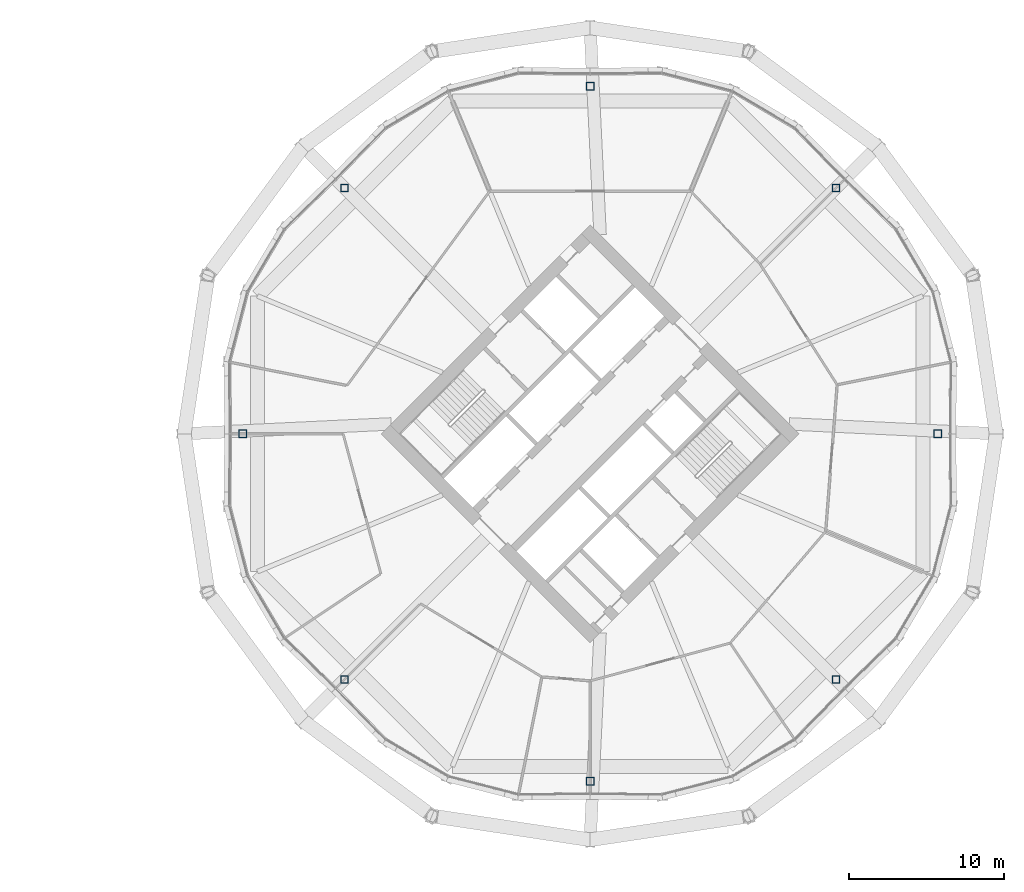
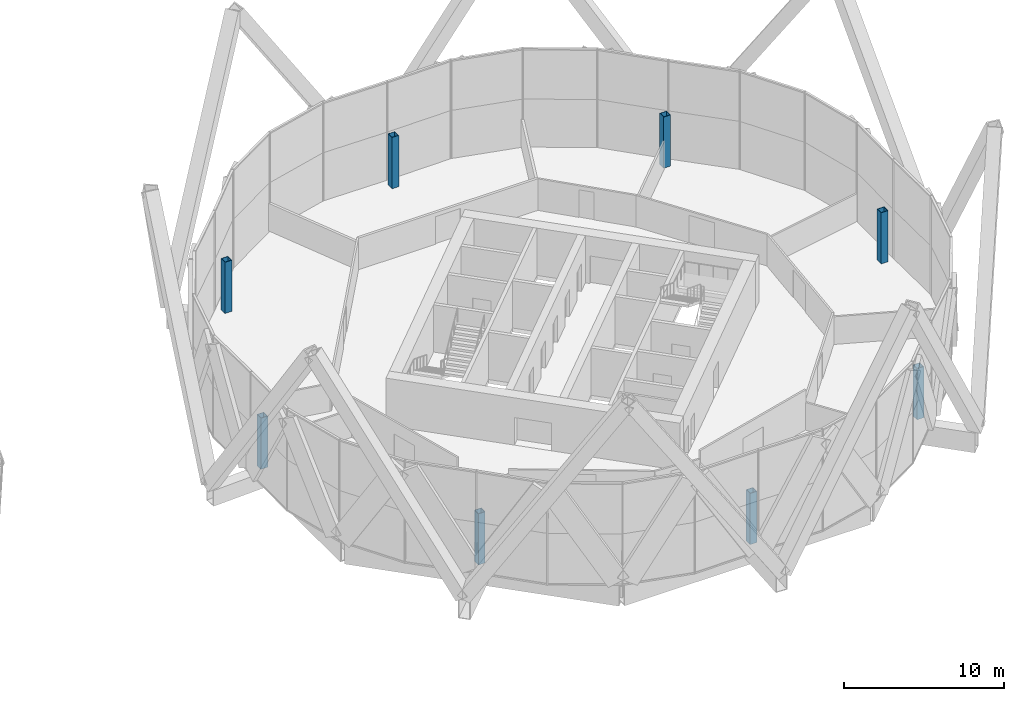
# One storey, part 2 of 28: 8 columns.
"""IFC4 building model written with IfcOpenShell, lengths in metres."""

from ifc_helpers import new_model, si_unit, direction, frame, origin, origin_2d, place, context, subcontext, project, spatial, hollow_rectangle, extrude, material, material_profile, profile_set, type_object, element, save


model = new_model("IFC4")

# Units and contexts
model_context = context("Model", 3, precision=1e-05, world=origin(), true_north=direction((0.0, 1.0)))
body_context = subcontext(model_context, "Body", "Model", "MODEL_VIEW")
ifc_project = project(units=[si_unit("LENGTHUNIT", "METRE"), si_unit("AREAUNIT", "SQUARE_METRE"), si_unit("VOLUMEUNIT", "CUBIC_METRE"), si_unit("PLANEANGLEUNIT", "RADIAN"), si_unit("MASSUNIT", "GRAM", prefix="KILO")], contexts=[model_context])

# Site, building, storey
site_placement = place(None, origin())
site = spatial("IfcSite", under=ifc_project, at=site_placement, CompositionType="ELEMENT")
building_placement = place(site_placement, origin())
building = spatial("IfcBuilding", under=site, at=building_placement, Name="Ogive Gate Towers", CompositionType="ELEMENT")
storey_placement = place(building_placement, frame((0.0, 0.0, 115.199951171875)))
storey = spatial("IfcBuildingStorey", under=building, at=storey_placement, Name="L27", CompositionType="ELEMENT", Elevation=115.199951171875)

# Columns
ifc_material = material(Name="Steel SM460", Category="steel")
ifc_material_profile = material_profile(ifc_material, hollow_rectangle(XDim=0.5, YDim=0.5, WallThickness=0.030029296875, at=origin_2d()), Name="BX 500x500x30")
ifc_profile_set = profile_set([ifc_material_profile], Name="Steel SM460")
column_type = type_object("IfcColumnType", Name="Perimeter post BX 500x500x30", PredefinedType="COLUMN", material=ifc_profile_set)
for number, where, z_axis, x_axis, name in (
    (1, (58.35009765625, 0.0, 0.0), (0.0, 0.0, 1.0), (1.0, 0.0, 0.0), "T2/L27/SCL001"),
    (2, (51.803955078125, 15.803955078125, 0.0), (0.0, 0.0, 1.0), (1.0, 0.0, 0.0), "T2/L27/SCL002"),
    (3, (36.0, 22.35009765625, 0.0), (0.0, 0.0, 1.0), (1.0, 0.0, 0.0), "T2/L27/SCL003"),
    (4, (20.196044921875, 15.803955078125, 0.0), (0.0, 0.0, 1.0), (1.0, 0.0, 0.0), "T2/L27/SCL004"),
    (5, (13.64990234375, 0.0, 0.0), (0.0, 0.0, 1.0), (1.0, 0.0, 0.0), "T2/L27/SCL005"),
    (6, (20.196044921875, -15.803955078125, 0.0), (0.0, 0.0, 1.0), (1.0, 0.0, 0.0), "T2/L27/SCL006"),
    (7, (36.0, -22.35009765625, 0.0), (0.0, 0.0, 1.0), (1.0, 0.0, 0.0), "T2/L27/SCL007"),
    (8, (51.803955078125, -15.803955078125, 0.0), (0.0, 0.0, 1.0), (1.0, 0.0, 0.0), "T2/L27/SCL008"),
):
    element("IfcColumn", number, at=place(storey_placement, frame(where, z_axis=z_axis, x_axis=x_axis)), inside=storey, type_object=column_type, Name=name, PredefinedType="COLUMN", context=body_context, shape_type="SweptSolid", body=[
        extrude(hollow_rectangle(XDim=0.5, YDim=0.5, WallThickness=0.030029296875, at=origin_2d()), origin(), (0.0, 0.0, 1.0), 3.900146484375),
    ])

save(model, "model.ifc")
